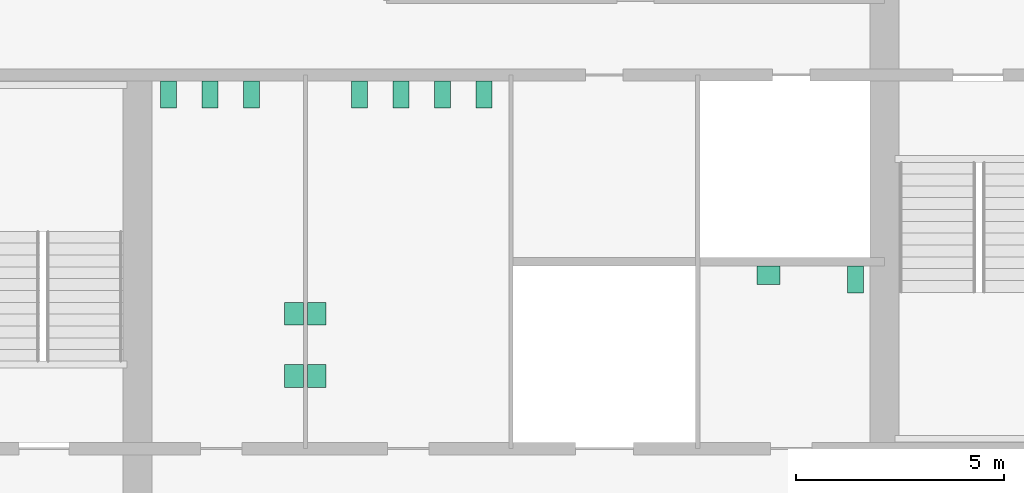
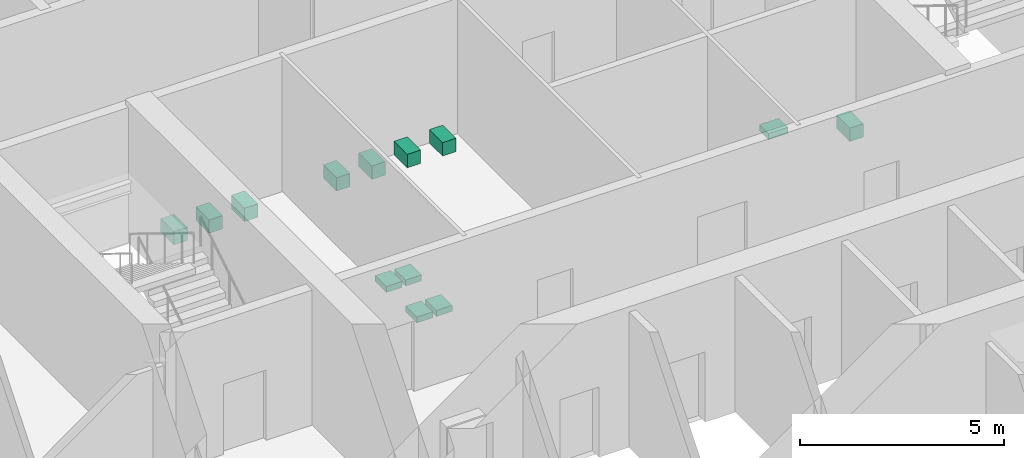
# One storey, part 12 of 12: 13 sanitary terminals.
"""IFC4 building model written with IfcOpenShell, lengths in metres."""

from ifc_helpers import new_model, si_unit, direction, frame, origin, origin_2d, place, context, subcontext, project, spatial, rectangle, extrude, material, type_object, element, save


model = new_model("IFC4")

# Units and contexts
model_context = context("Model", 3, precision=1e-05, world=origin(), true_north=direction((0.0, 1.0)))
body_context = subcontext(model_context, "Body", "Model", "MODEL_VIEW")
ifc_project = project(units=[si_unit("LENGTHUNIT", "METRE"), si_unit("AREAUNIT", "SQUARE_METRE"), si_unit("VOLUMEUNIT", "CUBIC_METRE"), si_unit("PLANEANGLEUNIT", "RADIAN"), si_unit("MASSUNIT", "GRAM", prefix="KILO")], contexts=[model_context])

# Site, building, storey
site_placement = place(None, origin())
site = spatial("IfcSite", under=ifc_project, at=site_placement, CompositionType="ELEMENT")
building_placement = place(site_placement, origin())
building = spatial("IfcBuilding", under=site, at=building_placement, Name="Corais Broadcast Tower", CompositionType="ELEMENT")
storey_placement = place(building_placement, frame((0.0, 0.0, 75.199951171875)))
storey = spatial("IfcBuildingStorey", under=building, at=storey_placement, Name="L16", CompositionType="ELEMENT", Elevation=75.199951171875)

# Sanitary terminals
ifc_material_1 = material(Name="Vitreous china", Category="ceramic")
sanitary_terminal_type_1 = type_object("IfcSanitaryTerminalType", Name="WC pan 380x650", PredefinedType="TOILETPAN", material=ifc_material_1)
for number, where, z_axis, x_axis, name in (
    (1, (18.75, 31.02490234375, 0.0), (0.0, 0.0, 1.0), (1.0, 0.0, 0.0), "SW1 WC pan, male toilets L16"),
    (2, (19.75, 31.02490234375, 0.0), (0.0, 0.0, 1.0), (1.0, 0.0, 0.0), "SW1 WC pan, male toilets L16"),
    (3, (20.75, 31.02490234375, 0.0), (0.0, 0.0, 1.0), (1.0, 0.0, 0.0), "SW1 WC pan, male toilets L16"),
    (4, (23.35009765625, 31.02490234375, 0.0), (0.0, 0.0, 1.0), (1.0, 0.0, 0.0), "SW1 WC pan, female toilets L16"),
    (5, (24.35009765625, 31.02490234375, 0.0), (0.0, 0.0, 1.0), (1.0, 0.0, 0.0), "SW1 WC pan, female toilets L16"),
    (6, (25.35009765625, 31.02490234375, 0.0), (0.0, 0.0, 1.0), (1.0, 0.0, 0.0), "SW1 WC pan, female toilets L16"),
    (7, (26.35009765625, 31.02490234375, 0.0), (0.0, 0.0, 1.0), (1.0, 0.0, 0.0), "SW1 WC pan, female toilets L16"),
    (8, (35.300048828125, 26.574951171875, 0.0), (0.0, 0.0, 1.0), (1.0, 0.0, 0.0), "SW1 WC pan, accessible WC L16"),
):
    element("IfcSanitaryTerminal", number, at=place(storey_placement, frame(where, z_axis=z_axis, x_axis=x_axis)), inside=storey, type_object=sanitary_terminal_type_1, Name=name, PredefinedType="TOILETPAN", context=body_context, shape_type="SweptSolid", body=[
        extrude(rectangle(XDim=0.3798828125, YDim=0.64990234375, at=origin_2d()), origin(), (0.0, 0.0, 1.0), 0.39990234375),
    ])
ifc_material_2 = material(Name="Vitreous china", Category="ceramic")
sanitary_terminal_type_2 = type_object("IfcSanitaryTerminalType", Name="Wash basin 550x450", PredefinedType="WASHHANDBASIN", material=ifc_material_2)
for number, where, z_axis, x_axis, name in (
    (9, (21.77490234375, 24.25, 0.7001953125), (0.0, 0.0, 1.0), (1.0, 0.0, 0.0), "WB1 wash basin, male toilets L16"),
    (10, (21.77490234375, 25.75, 0.7001953125), (0.0, 0.0, 1.0), (1.0, 0.0, 0.0), "WB1 wash basin, male toilets L16"),
    (11, (22.324951171875, 24.25, 0.7001953125), (0.0, 0.0, 1.0), (1.0, 0.0, 0.0), "WB1 wash basin, female toilets L16"),
    (12, (22.324951171875, 25.75, 0.7001953125), (0.0, 0.0, 1.0), (1.0, 0.0, 0.0), "WB1 wash basin, female toilets L16"),
):
    element("IfcSanitaryTerminal", number, at=place(storey_placement, frame(where, z_axis=z_axis, x_axis=x_axis)), inside=storey, type_object=sanitary_terminal_type_2, Name=name, PredefinedType="WASHHANDBASIN", context=body_context, shape_type="SweptSolid", body=[
        extrude(rectangle(XDim=0.449951171875, YDim=0.550048828125, at=origin_2d()), origin(), (0.0, 0.0, 1.0), 0.179931640625),
    ])
sanitary_terminal_placement = place(storey_placement, frame((33.199951171875, 26.675048828125, 0.7001953125), z_axis=(0.0, 0.0, 1.0), x_axis=(1.0, 0.0, 0.0)))
element("IfcSanitaryTerminal", 13, at=sanitary_terminal_placement, inside=storey, type_object=sanitary_terminal_type_2, Name="WB1 wash basin, accessible WC L16", PredefinedType="WASHHANDBASIN", context=body_context, shape_type="SweptSolid", body=[
    extrude(rectangle(XDim=0.550048828125, YDim=0.449951171875, at=origin_2d()), origin(), (0.0, 0.0, 1.0), 0.179931640625),
])

save(model, "model.ifc")
